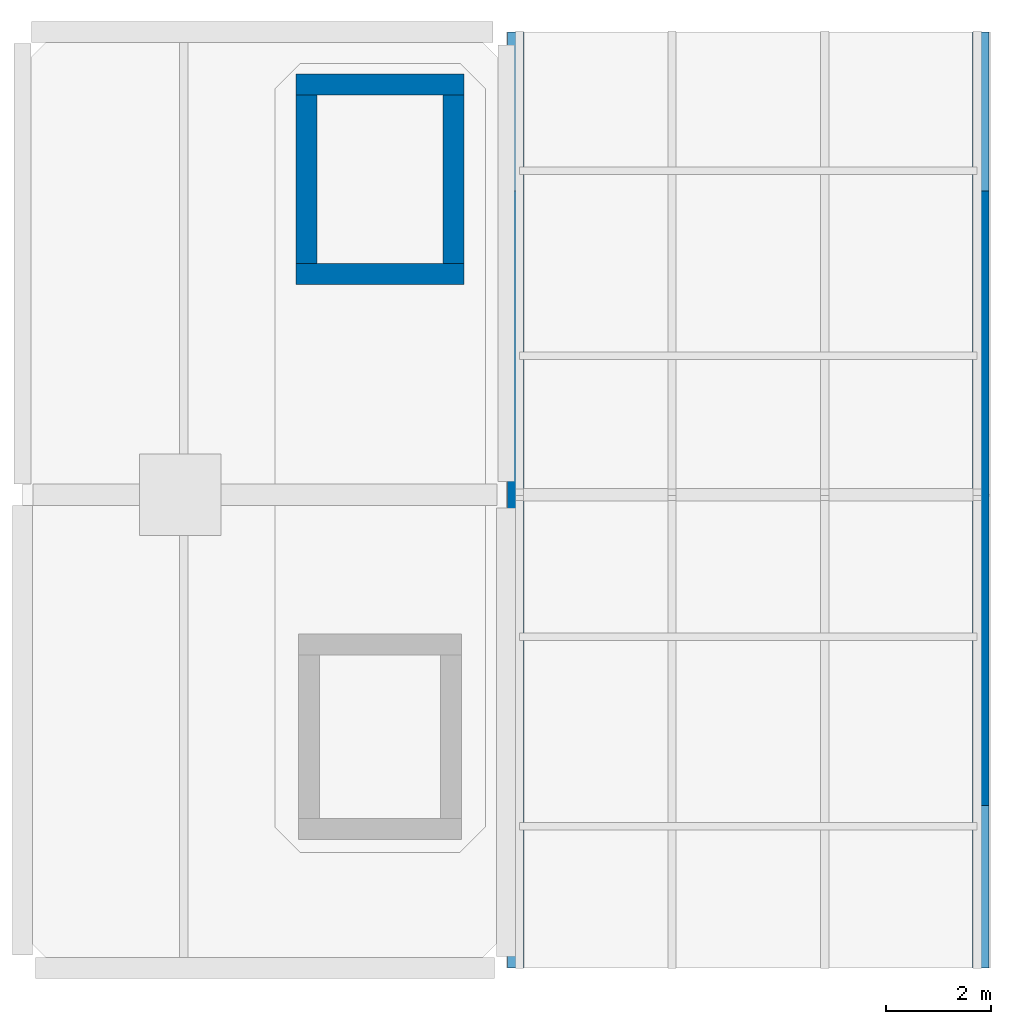
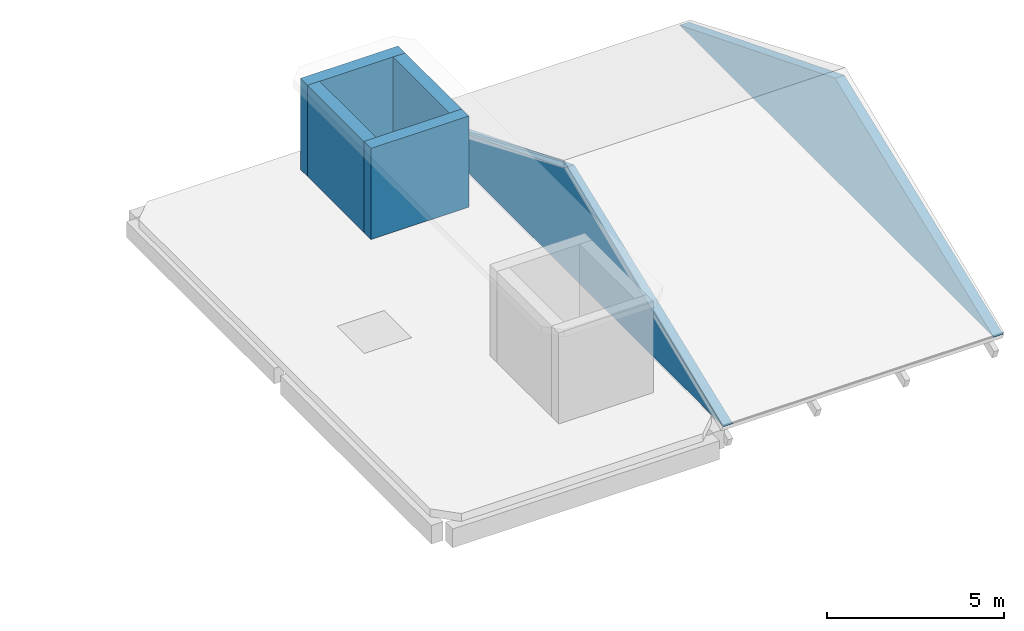
# One storey, part 11 of 13: 6 walls.
"""IFC4 building model written with IfcOpenShell, lengths in metres."""

from ifc_helpers import new_model, si_unit, direction, frame, frame_2d, origin, place, context, subcontext, project, spatial, polyline, rectangle, outline, extrude, material, layer, layer_set, type_object, element, save


model = new_model("IFC4")

# Units and contexts
model_context = context("Model", 3, precision=1e-05, world=origin(), true_north=direction((0.0, 1.0)))
body_context = subcontext(model_context, "Body", "Model", "MODEL_VIEW")
ifc_project = project(units=[si_unit("LENGTHUNIT", "METRE"), si_unit("AREAUNIT", "SQUARE_METRE"), si_unit("VOLUMEUNIT", "CUBIC_METRE"), si_unit("PLANEANGLEUNIT", "RADIAN"), si_unit("MASSUNIT", "GRAM", prefix="KILO")], contexts=[model_context])

# Site, building, storey
site_placement = place(None, origin())
site = spatial("IfcSite", under=ifc_project, at=site_placement, CompositionType="ELEMENT")
building_placement = place(site_placement, origin())
building = spatial("IfcBuilding", under=site, at=building_placement, Name="Birchvale Park Specialist Clinic", CompositionType="ELEMENT")
storey_placement = place(building_placement, frame((0.0, 0.0, 22.199951171875)))
storey = spatial("IfcBuildingStorey", under=building, at=storey_placement, Name="L05", CompositionType="ELEMENT", Elevation=22.199951171875)

# Walls
ifc_material_1 = material(Name="Concrete C40/50", Category="concrete")
ifc_layer_1 = layer(ifc_material_1, 0.39990234375)
ifc_layer_set_1 = layer_set([ifc_layer_1], Name="Concrete C40/50")
wall_type_1 = type_object("IfcWallType", Name="WL-CW-120", PredefinedType="SHEAR", material=ifc_layer_set_1)
for number, where, z_axis, x_axis, name in (
    (1, (133.199951171875, 30.0, 0.0), (0.0, 0.0, 1.0), (1.0, 0.0, 0.0), "L05 lift LS2 shaft wall (south)"),
    (2, (136.39990234375, 33.60009765625, 0.0), (0.0, 0.0, 1.0), (-1.0, 0.0, 0.0), "L05 lift LS2 shaft wall (north)"),
    (3, (133.39990234375, 30.199951171875, 0.0), (0.0, 0.0, 1.0), (0.0, 1.0, 0.0), "L05 lift LS2 shaft wall (west)"),
    (4, (136.199951171875, 33.39990234375, 0.0), (0.0, 0.0, 1.0), (0.0, -1.0, 0.0), "L05 lift LS2 shaft wall (east)"),
):
    element("IfcWall", number, at=place(storey_placement, frame(where, z_axis=z_axis, x_axis=x_axis)), inside=storey, type_object=wall_type_1, Name=name, PredefinedType="SHEAR", context=body_context, shape_type="SweptSolid", body=[
        extrude(rectangle(XDim=3.199951171875, YDim=0.39990234375, at=frame_2d((1.60009765625, 0.0))), origin(), (0.0, 0.0, 1.0), 3.150146484375),
    ])
ifc_material_2 = material(Name="Lime-white mineral-rendered insulated masonry", Category="masonry")
ifc_layer_2 = layer(ifc_material_2, 0.31005859375)
ifc_layer_set_2 = layer_set([ifc_layer_2], Name="Lime-white mineral-rendered insulated masonry")
wall_type_2 = type_object("IfcWallType", Name="WL-EW-02", PredefinedType="STANDARD", material=ifc_layer_set_2)
for number, where, z_axis, x_axis, name in (
    (5, (137.3798828125, 16.800048828125, 0.0), (0.0, 0.0, 1.0), (0.0, 1.0, 0.0), "L05 pitched gable tympanum wall V5-L05-W"),
    (6, (146.219970703125, 16.800048828125, 0.0), (0.0, 0.0, 1.0), (0.0, 1.0, 0.0), "L05 pitched gable tympanum wall V5-L05-E"),
):
    element("IfcWall", number, at=place(storey_placement, frame(where, z_axis=z_axis, x_axis=x_axis)), inside=storey, type_object=wall_type_2, Name=name, PredefinedType="STANDARD", context=body_context, shape_type="SweptSolid", body=[
        extrude(outline(polyline([(0.0, 0.0), (17.800048828125, 0.0), (17.800048828125, 0.0), (9.0, 3.5), (0.0, 0.0), (0.0, 0.0)])), frame((0.0, 0.155029296875, 0.0), z_axis=(0.0, -1.0, 0.0), x_axis=(1.0, 0.0, 0.0)), (0.0, 0.0, 1.0), 0.31005859375),
    ])

save(model, "model.ifc")
